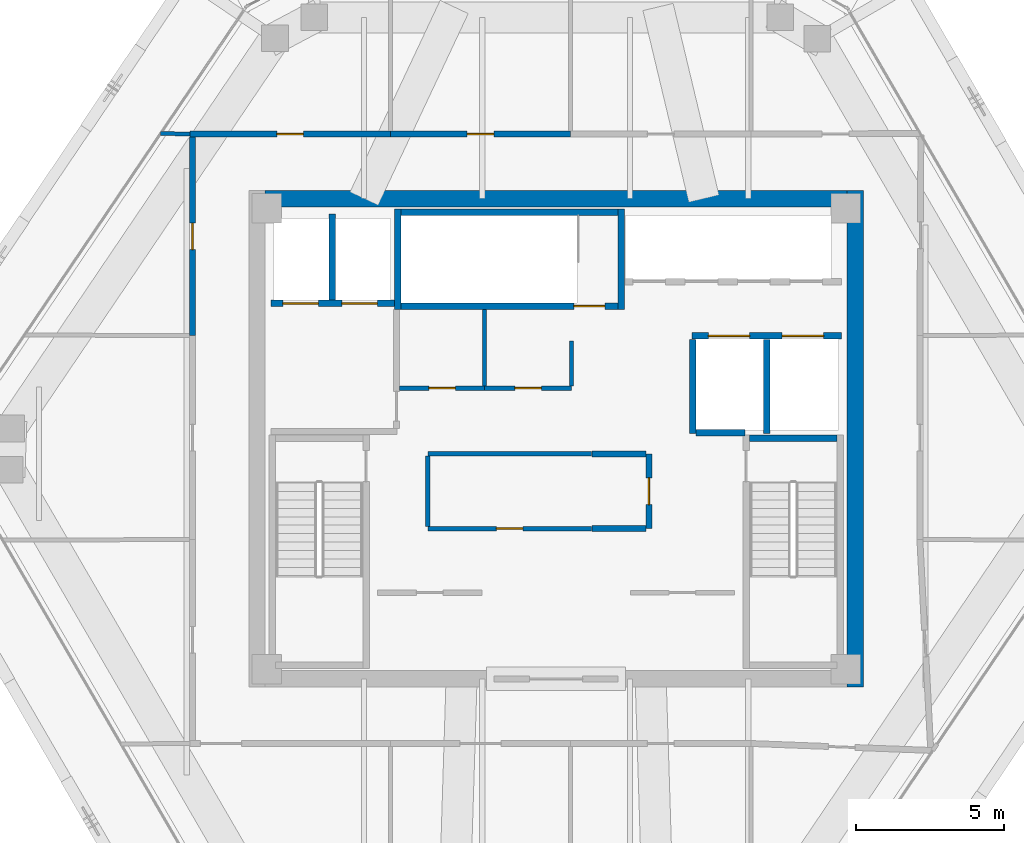
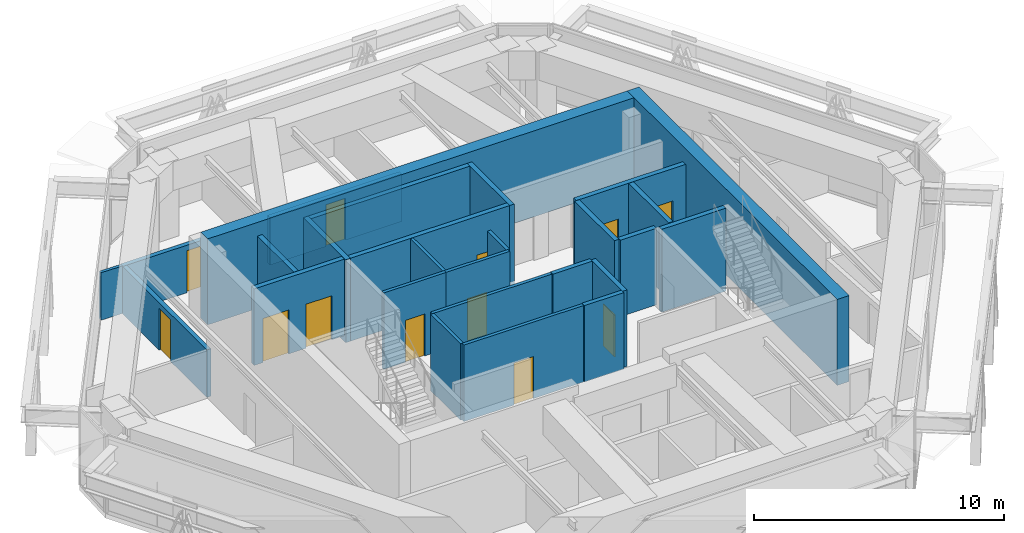
# One storey, part 11 of 13: 27 walls, 12 doors, 12 openings.
"""IFC4 building model written with IfcOpenShell, lengths in metres."""

from ifc_helpers import new_model, si_unit, direction, frame, frame_2d, origin, place, context, subcontext, project, spatial, rectangle, extrude, source, transform, mapped, material, layer, layer_set, type_object, type_shapes, element, fill, save


model = new_model("IFC4")

# Units and contexts
model_context = context("Model", 3, precision=1e-05, world=origin(), true_north=direction((0.0, 1.0)))
body_context = subcontext(model_context, "Body", "Model", "MODEL_VIEW")
ifc_project = project(units=[si_unit("LENGTHUNIT", "METRE"), si_unit("AREAUNIT", "SQUARE_METRE"), si_unit("VOLUMEUNIT", "CUBIC_METRE"), si_unit("PLANEANGLEUNIT", "RADIAN"), si_unit("MASSUNIT", "GRAM", prefix="KILO")], contexts=[model_context])

# Site, building, storey
site_placement = place(None, origin())
site = spatial("IfcSite", under=ifc_project, at=site_placement, CompositionType="ELEMENT")
building_placement = place(site_placement, origin())
building = spatial("IfcBuilding", under=site, at=building_placement, Name="Durnholm Broadcast Tower", CompositionType="ELEMENT")
storey_placement = place(building_placement, frame((0.0, 0.0, 268.300048828125)))
storey = spatial("IfcBuildingStorey", under=building, at=storey_placement, Name="L75", CompositionType="ELEMENT", Elevation=268.300048828125)

# Walls
ifc_material_1 = material(Name="Concrete C70/85", Category="concrete")
ifc_layer_1 = layer(ifc_material_1, 0.550048828125)
ifc_layer_set_1 = layer_set([ifc_layer_1], Name="Concrete C70/85")
wall_type_1 = type_object("IfcWallType", Name="WALL-CW-550", PredefinedType="SHEAR", material=ifc_layer_set_1)
wall_1_placement = place(storey_placement, frame((10.125, -8.39990234375, 0.0), z_axis=(0.0, 0.0, 1.0), x_axis=(0.0, 1.0, 0.0)))
element("IfcWall", 1, at=wall_1_placement, inside=storey, type_object=wall_type_1, Name="L75 central core shear wall CW-EAST", PredefinedType="SHEAR", context=body_context, shape_type="SweptSolid", body=[
    extrude(rectangle(XDim=16.7998046875, YDim=0.550048828125, at=frame_2d((8.39990234375, 0.0))), origin(), (0.0, 0.0, 1.0), 4.199951171875),
])
wall_2_placement = place(storey_placement, frame((-9.85009765625, 8.125, 0.0), z_axis=(0.0, 0.0, 1.0), x_axis=(1.0, 0.0, 0.0)))
element("IfcWall", 2, at=wall_2_placement, inside=storey, type_object=wall_type_1, Name="L75 central core shear wall CW-N", PredefinedType="SHEAR", context=body_context, shape_type="SweptSolid", body=[
    extrude(rectangle(XDim=19.7001953125, YDim=0.550048828125, at=frame_2d((9.85009765625, 0.0))), origin(), (0.0, 0.0, 1.0), 4.199951171875),
])

# Wall, opening, door
ifc_material_2 = material(Name="Fire-Rated Gypsum Shaftwall", Category="concrete")
ifc_layer_2 = layer(ifc_material_2, 0.199951171875)
ifc_layer_set_2 = layer_set([ifc_layer_2], Name="Fire-Rated Gypsum Shaftwall")
wall_type_2 = type_object("IfcWallType", Name="WALL-LOB-200", PredefinedType="SOLIDWALL", material=ifc_layer_set_2)
wall_3_placement = place(storey_placement, frame((3.139892578125, -0.510009765625, 0.0), z_axis=(0.0, 0.0, 1.0), x_axis=(0.0, -1.0, 0.0)))
wall_3 = element("IfcWall", 3, at=wall_3_placement, inside=storey, type_object=wall_type_2, Name="L75 Core IT Telecom Room corridor partition", PredefinedType="SOLIDWALL", context=body_context, shape_type="SweptSolid", body=[
    extrude(rectangle(XDim=2.530029296875, YDim=0.199951171875, at=frame_2d((1.26513671875, 0.0))), origin(), (0.0, 0.0, 1.0), 3.73486328125),
])
opening_1_placement = place(wall_3_placement, frame((0.81494140625, 0.0, 0.0)))
opening_1 = element("IfcOpeningElement", 4, at=opening_1_placement, cuts=wall_3, Name="Opening DC-60R", PredefinedType="OPENING", context=body_context, shape_type="SweptSolid", body=[
    extrude(rectangle(XDim=0.89990234375, YDim=2.050048828125, at=frame_2d((0.449951171875, 1.02490234375))), frame((0.0, 0.10986328125, 0.0), z_axis=(0.0, -1.0, 0.0), x_axis=(1.0, 0.0, 0.0)), (0.0, 0.0, 1.0), 0.219970703125),
])
ifc_material_3 = material(Name="Fire-Rated Core Service Door", Category="steel")
ifc_layer_3 = layer(ifc_material_3, 0.050048828125)
ifc_layer_set_3 = layer_set([ifc_layer_3], Name="Fire-Rated Core Service Door")
door_type_1 = type_object("IfcDoorType", Name="DOOR-CORE-FD60-R", OperationType="NOTDEFINED", PredefinedType="DOOR", material=ifc_layer_set_3)
shared_shape_1 = source(origin(), body_context, "Body", "SweptSolid", [
    extrude(rectangle(XDim=0.89990234375, YDim=2.050048828125, at=frame_2d((0.449951171875, 1.02490234375))), frame((0.0, 0.02490234375, 0.0), z_axis=(0.0, -1.0, 0.0), x_axis=(1.0, 0.0, 0.0)), (0.0, 0.0, 1.0), 0.050048828125),
])
type_shapes(door_type_1, [shared_shape_1])
door_1_placement = place(opening_1_placement, origin())
door_1 = element("IfcDoor", 5, at=door_1_placement, inside=storey, type_object=door_type_1, Name="L75 Core IT Telecom Room entrance door", OperationType="SINGLE_SWING_RIGHT", OverallHeight=2.050048828125, OverallWidth=0.89990234375, PredefinedType="DOOR", context=body_context, shape_type="MappedRepresentation", body=[
    mapped(shared_shape_1, transform((0.0, 0.0, 0.0), x_axis=(1.0, 0.0, 0.0), y_axis=(0.0, 1.0, 0.0), z_axis=(0.0, 0.0, 1.0), scale=1.0)),
])
fill(opening_1, door_1)

# Walls
for number, where, z_axis, x_axis, name in (
    (6, (3.035888671875, -3.0400390625, 0.0), (0.0, 0.0, 1.0), (-1.0, 0.0, 0.0), "L75 Core IT Telecom Room corridor partition"),
    (7, (1.2099609375, -0.510009765625, 0.0), (0.0, 0.0, 1.0), (1.0, 0.0, 0.0), "L75 Core IT Telecom Room corridor partition"),
):
    element("IfcWall", number, at=place(storey_placement, frame(where, z_axis=z_axis, x_axis=x_axis)), inside=storey, type_object=wall_type_2, Name=name, PredefinedType="SOLIDWALL", context=body_context, shape_type="SweptSolid", body=[
        extrude(rectangle(XDim=1.825927734375, YDim=0.199951171875, at=frame_2d((0.9130859375, 0.0))), origin(), (0.0, 0.0, 1.0), 3.73486328125),
    ])

# Wall, opening, door
wall_4_placement = place(storey_placement, frame((-5.610107421875, 10.31005859375, 0.0), z_axis=(0.0, 0.0, 1.0), x_axis=(-1.0, 0.0, 0.0)))
wall_4 = element("IfcWall", 8, at=wall_4_placement, inside=storey, type_object=wall_type_2, Name="L75 Mechanical Plant Room - Chilled Water Heat Exchanger corridor partition", PredefinedType="SOLIDWALL", context=body_context, shape_type="SweptSolid", body=[
    extrude(rectangle(XDim=6.77978515625, YDim=0.199951171875, at=frame_2d((3.389892578125, 0.0))), origin(), (0.0, 0.0, 1.0), 2.320068359375),
])
opening_2_placement = place(wall_4_placement, frame((2.93994140625, 0.0, 0.0)))
opening_2 = element("IfcOpeningElement", 9, at=opening_2_placement, cuts=wall_4, Name="Opening DC-60L", PredefinedType="OPENING", context=body_context, shape_type="SweptSolid", body=[
    extrude(rectangle(XDim=0.89990234375, YDim=2.050048828125, at=frame_2d((0.449951171875, 1.02490234375))), frame((0.0, 0.10986328125, 0.0), z_axis=(0.0, -1.0, 0.0), x_axis=(1.0, 0.0, 0.0)), (0.0, 0.0, 1.0), 0.219970703125),
])
ifc_layer_4 = layer(ifc_material_3, 0.050048828125)
ifc_layer_set_4 = layer_set([ifc_layer_4], Name="Fire-Rated Core Service Door")
door_type_2 = type_object("IfcDoorType", Name="DOOR-CORE-FD60-L", OperationType="NOTDEFINED", PredefinedType="DOOR", material=ifc_layer_set_4)
shared_shape_2 = source(origin(), body_context, "Body", "SweptSolid", [
    extrude(rectangle(XDim=0.89990234375, YDim=2.050048828125, at=frame_2d((0.449951171875, 1.02490234375))), frame((0.0, 0.02490234375, 0.0), z_axis=(0.0, -1.0, 0.0), x_axis=(1.0, 0.0, 0.0)), (0.0, 0.0, 1.0), 0.050048828125),
])
type_shapes(door_type_2, [shared_shape_2])
door_2_placement = place(opening_2_placement, origin())
door_2 = element("IfcDoor", 10, at=door_2_placement, inside=storey, type_object=door_type_2, Name="L75 Mechanical Plant Room - Chilled Water Heat Exchanger entrance door", OperationType="SINGLE_SWING_LEFT", OverallHeight=2.050048828125, OverallWidth=0.89990234375, PredefinedType="DOOR", context=body_context, shape_type="MappedRepresentation", body=[
    mapped(shared_shape_2, transform((0.0, 0.0, 0.0), x_axis=(1.0, 0.0, 0.0), y_axis=(0.0, 1.0, 0.0), z_axis=(0.0, 0.0, 1.0), scale=1.0)),
])
fill(opening_2, door_2)

wall_5_placement = place(storey_placement, frame((0.489990234375, 10.31005859375, 0.0), z_axis=(0.0, 0.0, 1.0), x_axis=(-1.0, 0.0, 0.0)))
wall_5 = element("IfcWall", 11, at=wall_5_placement, inside=storey, type_object=wall_type_2, Name="L75 Mechanical Plant Room - Dedicated Outdoor Air Handling corridor partition", PredefinedType="SOLIDWALL", context=body_context, shape_type="SweptSolid", body=[
    extrude(rectangle(XDim=6.10009765625, YDim=0.199951171875, at=frame_2d((3.050048828125, 0.0))), origin(), (0.0, 0.0, 1.0), 2.320068359375),
])
opening_3_placement = place(wall_5_placement, frame((2.60009765625, 0.0, 0.0)))
opening_3 = element("IfcOpeningElement", 12, at=opening_3_placement, cuts=wall_5, Name="Opening DC-60R", PredefinedType="OPENING", context=body_context, shape_type="SweptSolid", body=[
    extrude(rectangle(XDim=0.89990234375, YDim=2.050048828125, at=frame_2d((0.449951171875, 1.02490234375))), frame((0.0, 0.10986328125, 0.0), z_axis=(0.0, -1.0, 0.0), x_axis=(1.0, 0.0, 0.0)), (0.0, 0.0, 1.0), 0.219970703125),
])
door_3_placement = place(opening_3_placement, origin())
door_3 = element("IfcDoor", 13, at=door_3_placement, inside=storey, type_object=door_type_1, Name="L75 Mechanical Plant Room - Dedicated Outdoor Air Handling entrance door", OperationType="SINGLE_SWING_RIGHT", OverallHeight=2.050048828125, OverallWidth=0.89990234375, PredefinedType="DOOR", context=body_context, shape_type="MappedRepresentation", body=[
    mapped(shared_shape_1, transform((0.0, 0.0, 0.0), x_axis=(1.0, 0.0, 0.0), y_axis=(0.0, 1.0, 0.0), z_axis=(0.0, 0.0, 1.0), scale=1.0)),
])
fill(opening_3, door_3)

wall_6_placement = place(storey_placement, frame((-12.31005859375, 10.2060546875, 0.0), z_axis=(0.0, 0.0, 1.0), x_axis=(0.0, -1.0, 0.0)))
wall_6 = element("IfcWall", 14, at=wall_6_placement, inside=storey, type_object=wall_type_2, Name="L75 Mechanical Plant Room - Telecom Cooling Distribution corridor partition", PredefinedType="SOLIDWALL", context=body_context, shape_type="SweptSolid", body=[
    extrude(rectangle(XDim=6.716064453125, YDim=0.199951171875, at=frame_2d((3.35791015625, 0.0))), origin(), (0.0, 0.0, 1.0), 2.320068359375),
])
opening_4_placement = place(wall_6_placement, frame((2.907958984375, 0.0, 0.0)))
opening_4 = element("IfcOpeningElement", 15, at=opening_4_placement, cuts=wall_6, Name="Opening DC-60R", PredefinedType="OPENING", context=body_context, shape_type="SweptSolid", body=[
    extrude(rectangle(XDim=0.89990234375, YDim=2.050048828125, at=frame_2d((0.449951171875, 1.02490234375))), frame((0.0, 0.10986328125, 0.0), z_axis=(0.0, -1.0, 0.0), x_axis=(1.0, 0.0, 0.0)), (0.0, 0.0, 1.0), 0.219970703125),
])
door_4_placement = place(opening_4_placement, origin())
door_4 = element("IfcDoor", 16, at=door_4_placement, inside=storey, type_object=door_type_1, Name="L75 Mechanical Plant Room - Telecom Cooling Distribution entrance door", OperationType="SINGLE_SWING_RIGHT", OverallHeight=2.050048828125, OverallWidth=0.89990234375, PredefinedType="DOOR", context=body_context, shape_type="MappedRepresentation", body=[
    mapped(shared_shape_1, transform((0.0, 0.0, 0.0), x_axis=(1.0, 0.0, 0.0), y_axis=(0.0, 1.0, 0.0), z_axis=(0.0, 0.0, 1.0), scale=1.0)),
])
fill(opening_4, door_4)

# Walls
ifc_material_4 = material(Name="Gypsum Metal Stud Partition", Category="concrete")
ifc_layer_5 = layer(ifc_material_4, 0.135009765625)
ifc_layer_set_5 = layer_set([ifc_layer_5], Name="Gypsum Metal Stud Partition")
wall_type_3 = type_object("IfcWallType", Name="WALL-PART-135", PredefinedType="PARTITIONING", material=ifc_layer_set_5)
wall_7_placement = place(storey_placement, frame((-2.419921875, 4.375, 0.0), z_axis=(0.0, 0.0, 1.0), x_axis=(0.0, -1.0, 0.0)))
element("IfcWall", 17, at=wall_7_placement, inside=storey, type_object=wall_type_3, Name="L75 room dividing partition 5.6", PredefinedType="PARTITIONING", context=body_context, shape_type="SweptSolid", body=[
    extrude(rectangle(XDim=2.5859375, YDim=0.135009765625, at=frame_2d((1.29296875, 0.0))), origin(), (0.0, 0.0, 1.0), 3.73486328125),
])
wall_8_placement = place(storey_placement, frame((-12.389892578125, 10.311767578125, 0.0), z_axis=(0.0, 0.0, 1.0), x_axis=(-0.999782630862, 0.020849245246, 0.0)))
element("IfcWall", 18, at=wall_8_placement, inside=storey, type_object=wall_type_3, Name="L75 room dividing partition 7.20", PredefinedType="PARTITIONING", context=body_context, shape_type="SweptSolid", body=[
    extrude(rectangle(XDim=0.995361328125, YDim=0.135009765625, at=frame_2d((0.49755859375, 0.0))), origin(), (0.0, 0.0, 1.0), 2.320068359375),
])

# Wall, opening, door
ifc_material_5 = material(Name="Acoustic Gypsum Stud Partition", Category="concrete")
ifc_layer_6 = layer(ifc_material_5, 0.14990234375)
ifc_layer_set_6 = layer_set([ifc_layer_6], Name="Acoustic Gypsum Stud Partition")
wall_type_4 = type_object("IfcWallType", Name="WALL-PART-150", PredefinedType="PARTITIONING", material=ifc_layer_set_6)
wall_9_placement = place(storey_placement, frame((1.18994140625, -3.0400390625, 0.0), z_axis=(0.0, 0.0, 1.0), x_axis=(-1.0, 0.0, 0.0)))
wall_9 = element("IfcWall", 19, at=wall_9_placement, inside=storey, type_object=wall_type_4, Name="L75 Broadcast Equipment Store corridor partition", PredefinedType="PARTITIONING", context=body_context, shape_type="SweptSolid", body=[
    extrude(rectangle(XDim=5.530029296875, YDim=0.14990234375, at=frame_2d((2.76513671875, 0.0))), origin(), (0.0, 0.0, 1.0), 3.73486328125),
])
opening_5_placement = place(wall_9_placement, frame((2.31494140625, 0.0, 0.0)))
opening_5 = element("IfcOpeningElement", 20, at=opening_5_placement, cuts=wall_9, Name="Opening DC-60L", PredefinedType="OPENING", context=body_context, shape_type="SweptSolid", body=[
    extrude(rectangle(XDim=0.89990234375, YDim=2.050048828125, at=frame_2d((0.449951171875, 1.02490234375))), frame((0.0, 0.0849609375, 0.0), z_axis=(0.0, -1.0, 0.0), x_axis=(1.0, 0.0, 0.0)), (0.0, 0.0, 1.0), 0.169921875),
])
door_5_placement = place(opening_5_placement, origin())
door_5 = element("IfcDoor", 21, at=door_5_placement, inside=storey, type_object=door_type_2, Name="L75 Broadcast Equipment Store entrance door", OperationType="SINGLE_SWING_LEFT", OverallHeight=2.050048828125, OverallWidth=0.89990234375, PredefinedType="DOOR", context=body_context, shape_type="MappedRepresentation", body=[
    mapped(shared_shape_2, transform((0.0, 0.0, 0.0), x_axis=(1.0, 0.0, 0.0), y_axis=(0.0, 1.0, 0.0), z_axis=(0.0, 0.0, 1.0), scale=1.0)),
])
fill(opening_5, door_5)

# Walls
wall_10_placement = place(storey_placement, frame((-4.340087890625, -0.510009765625, 0.0), z_axis=(0.0, 0.0, 1.0), x_axis=(1.0, 0.0, 0.0)))
element("IfcWall", 22, at=wall_10_placement, inside=storey, type_object=wall_type_4, Name="L75 Broadcast Equipment Store corridor partition", PredefinedType="PARTITIONING", context=body_context, shape_type="SweptSolid", body=[
    extrude(rectangle(XDim=5.530029296875, YDim=0.14990234375, at=frame_2d((2.76513671875, 0.0))), origin(), (0.0, 0.0, 1.0), 3.73486328125),
])
wall_11_placement = place(storey_placement, frame((-4.340087890625, -2.9609375, 0.0), z_axis=(0.0, 0.0, 1.0), x_axis=(0.0, 1.0, 0.0)))
element("IfcWall", 23, at=wall_11_placement, inside=storey, type_object=wall_type_4, Name="L75 Broadcast Equipment Store corridor partition", PredefinedType="PARTITIONING", context=body_context, shape_type="SweptSolid", body=[
    extrude(rectangle(XDim=2.371826171875, YDim=0.14990234375, at=frame_2d((1.18603515625, 0.0))), origin(), (0.0, 0.0, 1.0), 3.73486328125),
])

# Wall, opening, door
wall_12_placement = place(storey_placement, frame((-2.419921875, 1.7099609375, 0.0), z_axis=(0.0, 0.0, 1.0), x_axis=(-1.0, 0.0, 0.0)))
wall_12 = element("IfcWall", 24, at=wall_12_placement, inside=storey, type_object=wall_type_4, Name="L75 Core Equipment Store corridor partition", PredefinedType="PARTITIONING", context=body_context, shape_type="SweptSolid", body=[
    extrude(rectangle(XDim=2.8759765625, YDim=0.14990234375, at=frame_2d((1.43798828125, 0.0))), origin(), (0.0, 0.0, 1.0), 3.73486328125),
])
opening_6_placement = place(wall_12_placement, frame((0.988037109375, 0.0, 0.0)))
opening_6 = element("IfcOpeningElement", 25, at=opening_6_placement, cuts=wall_12, Name="Opening DC-60L", PredefinedType="OPENING", context=body_context, shape_type="SweptSolid", body=[
    extrude(rectangle(XDim=0.89990234375, YDim=2.050048828125, at=frame_2d((0.449951171875, 1.02490234375))), frame((0.0, 0.0849609375, 0.0), z_axis=(0.0, -1.0, 0.0), x_axis=(1.0, 0.0, 0.0)), (0.0, 0.0, 1.0), 0.169921875),
])
door_6_placement = place(opening_6_placement, origin())
door_6 = element("IfcDoor", 26, at=door_6_placement, inside=storey, type_object=door_type_2, Name="L75 Core Equipment Store entrance door", OperationType="SINGLE_SWING_LEFT", OverallHeight=2.050048828125, OverallWidth=0.89990234375, PredefinedType="DOOR", context=body_context, shape_type="MappedRepresentation", body=[
    mapped(shared_shape_2, transform((0.0, 0.0, 0.0), x_axis=(1.0, 0.0, 0.0), y_axis=(0.0, 1.0, 0.0), z_axis=(0.0, 0.0, 1.0), scale=1.0)),
])
fill(opening_6, door_6)

wall_13_placement = place(storey_placement, frame((0.52001953125, 1.7099609375, 0.0), z_axis=(0.0, 0.0, 1.0), x_axis=(-1.0, 0.0, 0.0)))
wall_13 = element("IfcWall", 27, at=wall_13_placement, inside=storey, type_object=wall_type_4, Name="L75 Core Mail and Supply Room corridor partition", PredefinedType="PARTITIONING", context=body_context, shape_type="SweptSolid", body=[
    extrude(rectangle(XDim=2.93994140625, YDim=0.14990234375, at=frame_2d((1.469970703125, 0.0))), origin(), (0.0, 0.0, 1.0), 3.73486328125),
])
opening_7_placement = place(wall_13_placement, frame((1.02001953125, 0.0, 0.0)))
opening_7 = element("IfcOpeningElement", 28, at=opening_7_placement, cuts=wall_13, Name="Opening DC-60R", PredefinedType="OPENING", context=body_context, shape_type="SweptSolid", body=[
    extrude(rectangle(XDim=0.89990234375, YDim=2.050048828125, at=frame_2d((0.449951171875, 1.02490234375))), frame((0.0, 0.0849609375, 0.0), z_axis=(0.0, -1.0, 0.0), x_axis=(1.0, 0.0, 0.0)), (0.0, 0.0, 1.0), 0.169921875),
])
door_7_placement = place(opening_7_placement, origin())
door_7 = element("IfcDoor", 29, at=door_7_placement, inside=storey, type_object=door_type_1, Name="L75 Core Mail and Supply Room entrance door", OperationType="SINGLE_SWING_RIGHT", OverallHeight=2.050048828125, OverallWidth=0.89990234375, PredefinedType="DOOR", context=body_context, shape_type="MappedRepresentation", body=[
    mapped(shared_shape_1, transform((0.0, 0.0, 0.0), x_axis=(1.0, 0.0, 0.0), y_axis=(0.0, 1.0, 0.0), z_axis=(0.0, 0.0, 1.0), scale=1.0)),
])
fill(opening_7, door_7)

# Wall
wall_14_placement = place(storey_placement, frame((0.52001953125, 3.300048828125, 0.0), z_axis=(0.0, 0.0, 1.0), x_axis=(0.0, -1.0, 0.0)))
element("IfcWall", 30, at=wall_14_placement, inside=storey, type_object=wall_type_4, Name="L75 Core Mail and Supply Room corridor partition", PredefinedType="PARTITIONING", context=body_context, shape_type="SweptSolid", body=[
    extrude(rectangle(XDim=1.510986328125, YDim=0.14990234375, at=frame_2d((0.75537109375, 0.0))), origin(), (0.0, 0.0, 1.0), 3.73486328125),
])

# Wall, openings, doors
ifc_material_6 = material(Name="Concrete Blockwork C30/37", Category="masonry")
ifc_layer_7 = layer(ifc_material_6, 0.219970703125)
ifc_layer_set_7 = layer_set([ifc_layer_7], Name="Concrete Blockwork C30/37")
wall_type_5 = type_object("IfcWallType", Name="WALL-SHAFT-220", PredefinedType="SOLIDWALL", material=ifc_layer_set_7)
wall_15_placement = place(storey_placement, frame((-9.64990234375, 4.580078125, 0.0), z_axis=(0.0, 0.0, 1.0), x_axis=(1.0, 0.0, 0.0)))
wall_15 = element("IfcWall", 31, at=wall_15_placement, inside=storey, type_object=wall_type_5, Name="L75 FSAE hoistway front fire wall", PredefinedType="SOLIDWALL", context=body_context, shape_type="SweptSolid", body=[
    extrude(rectangle(XDim=4.1748046875, YDim=0.219970703125, at=frame_2d((2.08740234375, 0.0))), origin(), (0.0, 0.0, 1.0), 3.73486328125),
])
opening_8_placement = place(wall_15_placement, frame((0.39990234375, 0.0, 0.0)))
opening_8 = element("IfcOpeningElement", 32, at=opening_8_placement, cuts=wall_15, Name="Opening LD-FSAE-2", PredefinedType="OPENING", context=body_context, shape_type="SweptSolid", body=[
    extrude(rectangle(XDim=1.199951171875, YDim=2.14990234375, at=frame_2d((0.60009765625, 1.074951171875))), frame((0.0, 0.1201171875, 0.0), z_axis=(0.0, -1.0, 0.0), x_axis=(1.0, 0.0, 0.0)), (0.0, 0.0, 1.0), 0.239990234375),
])
opening_9_placement = place(wall_15_placement, frame((2.39990234375, 0.0, 0.0)))
opening_9 = element("IfcOpeningElement", 33, at=opening_9_placement, cuts=wall_15, Name="Opening LD-FSAE-1", PredefinedType="OPENING", context=body_context, shape_type="SweptSolid", body=[
    extrude(rectangle(XDim=1.199951171875, YDim=2.14990234375, at=frame_2d((0.60009765625, 1.074951171875))), frame((0.0, 0.1201171875, 0.0), z_axis=(0.0, -1.0, 0.0), x_axis=(1.0, 0.0, 0.0)), (0.0, 0.0, 1.0), 0.239990234375),
])
ifc_material_7 = material(Name="Fire Service Access Sliding Landing Door", Category="steel")
ifc_layer_8 = layer(ifc_material_7, 0.050048828125)
ifc_layer_set_8 = layer_set([ifc_layer_8], Name="Fire Service Access Sliding Landing Door")
door_type_3 = type_object("IfcDoorType", Name="DOOR-LIFT-FSAE", OperationType="DOUBLE_DOOR_SLIDING", PredefinedType="DOOR", material=ifc_layer_set_8)
shared_shape_3 = source(origin(), body_context, "Body", "SweptSolid", [
    extrude(rectangle(XDim=1.199951171875, YDim=2.14990234375, at=frame_2d((0.60009765625, 1.074951171875))), frame((0.0, 0.02490234375, 0.0), z_axis=(0.0, -1.0, 0.0), x_axis=(1.0, 0.0, 0.0)), (0.0, 0.0, 1.0), 0.050048828125),
])
type_shapes(door_type_3, [shared_shape_3])
door_8_placement = place(opening_8_placement, origin())
door_8 = element("IfcDoor", 34, at=door_8_placement, inside=storey, type_object=door_type_3, Name="L75 Fire Service Access Elevator FSAE-2 sliding landing door", OperationType="DOUBLE_DOOR_SLIDING", OverallHeight=2.14990234375, OverallWidth=1.199951171875, PredefinedType="DOOR", context=body_context, shape_type="MappedRepresentation", body=[
    mapped(shared_shape_3, transform((0.0, 0.0, 0.0), x_axis=(1.0, 0.0, 0.0), y_axis=(0.0, 1.0, 0.0), z_axis=(0.0, 0.0, 1.0), scale=1.0)),
])
fill(opening_8, door_8)
door_9_placement = place(opening_9_placement, origin())
door_9 = element("IfcDoor", 35, at=door_9_placement, inside=storey, type_object=door_type_3, Name="L75 Fire Service Access Elevator FSAE-1 sliding landing door", OperationType="DOUBLE_DOOR_SLIDING", OverallHeight=2.14990234375, OverallWidth=1.199951171875, PredefinedType="DOOR", context=body_context, shape_type="MappedRepresentation", body=[
    mapped(shared_shape_3, transform((0.0, 0.0, 0.0), x_axis=(1.0, 0.0, 0.0), y_axis=(0.0, 1.0, 0.0), z_axis=(0.0, 0.0, 1.0), scale=1.0)),
])
fill(opening_9, door_9)

# Wall
wall_16_placement = place(storey_placement, frame((-7.580078125, 4.694091796875, 0.0), z_axis=(0.0, 0.0, 1.0), x_axis=(0.0, 1.0, 0.0)))
element("IfcWall", 36, at=wall_16_placement, inside=storey, type_object=wall_type_5, Name="L75 FSAE shaft divider wall", PredefinedType="SOLIDWALL", context=body_context, shape_type="SweptSolid", body=[
    extrude(rectangle(XDim=2.906005859375, YDim=0.219970703125, at=frame_2d((1.453125, 0.0))), origin(), (0.0, 0.0, 1.0), 3.73486328125),
])

# Wall, openings, doors
wall_17_placement = place(storey_placement, frame((4.60009765625, 3.47998046875, 0.0), z_axis=(0.0, 0.0, 1.0), x_axis=(1.0, 0.0, 0.0)))
wall_17 = element("IfcWall", 37, at=wall_17_placement, inside=storey, type_object=wall_type_5, Name="L75 freight service lifts north front wall", PredefinedType="SOLIDWALL", context=body_context, shape_type="SweptSolid", body=[
    extrude(rectangle(XDim=5.0498046875, YDim=0.219970703125, at=frame_2d((2.52490234375, 0.0))), origin(), (0.0, 0.0, 1.0), 3.73486328125),
])
opening_10_placement = place(wall_17_placement, frame((0.550048828125, 0.0, 0.0)))
opening_10 = element("IfcOpeningElement", 38, at=opening_10_placement, cuts=wall_17, Name="Opening LD-SVL-2", PredefinedType="OPENING", context=body_context, shape_type="SweptSolid", body=[
    extrude(rectangle(XDim=1.39990234375, YDim=2.14990234375, at=frame_2d((0.699951171875, 1.074951171875))), frame((0.0, 0.1201171875, 0.0), z_axis=(0.0, -1.0, 0.0), x_axis=(1.0, 0.0, 0.0)), (0.0, 0.0, 1.0), 0.239990234375),
])
opening_11_placement = place(wall_17_placement, frame((3.050048828125, 0.0, 0.0)))
opening_11 = element("IfcOpeningElement", 39, at=opening_11_placement, cuts=wall_17, Name="Opening LD-SVL-1", PredefinedType="OPENING", context=body_context, shape_type="SweptSolid", body=[
    extrude(rectangle(XDim=1.39990234375, YDim=2.14990234375, at=frame_2d((0.699951171875, 1.074951171875))), frame((0.0, 0.1201171875, 0.0), z_axis=(0.0, -1.0, 0.0), x_axis=(1.0, 0.0, 0.0)), (0.0, 0.0, 1.0), 0.239990234375),
])
ifc_material_8 = material(Name="Freight Elevator Bi-Parting Sliding Landing Door", Category="steel")
ifc_layer_9 = layer(ifc_material_8, 0.050048828125)
ifc_layer_set_9 = layer_set([ifc_layer_9], Name="Freight Elevator Bi-Parting Sliding Landing Door")
door_type_4 = type_object("IfcDoorType", Name="DOOR-LIFT-SVL", OperationType="DOUBLE_DOOR_SLIDING", PredefinedType="DOOR", material=ifc_layer_set_9)
shared_shape_4 = source(origin(), body_context, "Body", "SweptSolid", [
    extrude(rectangle(XDim=1.39990234375, YDim=2.14990234375, at=frame_2d((0.699951171875, 1.074951171875))), frame((0.0, 0.02490234375, 0.0), z_axis=(0.0, -1.0, 0.0), x_axis=(1.0, 0.0, 0.0)), (0.0, 0.0, 1.0), 0.050048828125),
])
type_shapes(door_type_4, [shared_shape_4])
door_10_placement = place(opening_10_placement, origin())
door_10 = element("IfcDoor", 40, at=door_10_placement, inside=storey, type_object=door_type_4, Name="L75 freight service elevator SVL-2 sliding landing door", OperationType="DOUBLE_DOOR_SLIDING", OverallHeight=2.14990234375, OverallWidth=1.39990234375, PredefinedType="DOOR", context=body_context, shape_type="MappedRepresentation", body=[
    mapped(shared_shape_4, transform((0.0, 0.0, 0.0), x_axis=(1.0, 0.0, 0.0), y_axis=(0.0, 1.0, 0.0), z_axis=(0.0, 0.0, 1.0), scale=1.0)),
])
fill(opening_10, door_10)
door_11_placement = place(opening_11_placement, origin())
door_11 = element("IfcDoor", 41, at=door_11_placement, inside=storey, type_object=door_type_4, Name="L75 freight service elevator SVL-1 sliding landing door", OperationType="DOUBLE_DOOR_SLIDING", OverallHeight=2.14990234375, OverallWidth=1.39990234375, PredefinedType="DOOR", context=body_context, shape_type="MappedRepresentation", body=[
    mapped(shared_shape_4, transform((0.0, 0.0, 0.0), x_axis=(1.0, 0.0, 0.0), y_axis=(0.0, 1.0, 0.0), z_axis=(0.0, 0.0, 1.0), scale=1.0)),
])
fill(opening_11, door_11)

# Walls
for number, where, z_axis, x_axis, name in (
    (42, (4.6201171875, 0.179931640625, 0.0), (0.0, 0.0, 1.0), (0.0, 1.0, 0.0), "L75 freight service lift SVL-2 west wall"),
    (43, (7.1201171875, 0.179931640625, 0.0), (0.0, 0.0, 1.0), (0.0, 1.0, 0.0), "L75 freight service lifts divider wall"),
):
    element("IfcWall", number, at=place(storey_placement, frame(where, z_axis=z_axis, x_axis=x_axis)), inside=storey, type_object=wall_type_5, Name=name, PredefinedType="SOLIDWALL", context=body_context, shape_type="SweptSolid", body=[
        extrude(rectangle(XDim=3.18603515625, YDim=0.219970703125, at=frame_2d((1.593017578125, 0.0))), origin(), (0.0, 0.0, 1.0), 3.73486328125),
    ])
wall_18_placement = place(storey_placement, frame((4.73388671875, 0.199951171875, 0.0), z_axis=(0.0, 0.0, 1.0), x_axis=(1.0, 0.0, 0.0)))
element("IfcWall", 44, at=wall_18_placement, inside=storey, type_object=wall_type_5, Name="L75 freight service lift SVL-2 south wall", PredefinedType="SOLIDWALL", context=body_context, shape_type="SweptSolid", body=[
    extrude(rectangle(XDim=1.666015625, YDim=0.219970703125, at=frame_2d((0.8330078125, 0.0))), origin(), (0.0, 0.0, 1.0), 3.73486328125),
])
ifc_material_9 = material(Name="Concrete C50/60", Category="concrete")
ifc_layer_10 = layer(ifc_material_9, 0.219970703125)
ifc_layer_set_10 = layer_set([ifc_layer_10], Name="Concrete C50/60")
wall_type_6 = type_object("IfcWallType", Name="WALL-SW-220", PredefinedType="SHEAR", material=ifc_layer_set_10)
wall_19_placement = place(storey_placement, frame((9.5, 0.010009765625, -0.300048828125), z_axis=(0.0, 0.0, 1.0), x_axis=(-1.0, 0.0, 0.0)))
element("IfcWall", 45, at=wall_19_placement, inside=storey, type_object=wall_type_6, Name="L75 stair ST-2 structural shaft wall N", PredefinedType="SHEAR", context=body_context, shape_type="SweptSolid", body=[
    extrude(rectangle(XDim=2.9599609375, YDim=0.219970703125, at=frame_2d((1.47998046875, 0.0))), origin(), (0.0, 0.0, 1.0), 4.050048828125),
])
for number, where, z_axis, x_axis, name in (
    (46, (2.2099609375, 4.3798828125, -0.300048828125), (0.0, 0.0, 1.0), (0.0, 1.0, 0.0), "L75 stair ST-3 structural shaft wall E"),
    (47, (-5.360107421875, 7.780029296875, -0.300048828125), (0.0, 0.0, 1.0), (0.0, -1.0, 0.0), "L75 stair ST-3 structural shaft wall W"),
):
    element("IfcWall", number, at=place(storey_placement, frame(where, z_axis=z_axis, x_axis=x_axis)), inside=storey, type_object=wall_type_6, Name=name, PredefinedType="SHEAR", context=body_context, shape_type="SweptSolid", body=[
        extrude(rectangle(XDim=3.400146484375, YDim=0.219970703125, at=frame_2d((1.7001953125, 0.0))), origin(), (0.0, 0.0, 1.0), 4.050048828125),
    ])

# Wall, opening, door
wall_20_placement = place(storey_placement, frame((-5.25, 4.489990234375, -0.300048828125), z_axis=(0.0, 0.0, 1.0), x_axis=(1.0, 0.0, 0.0)))
wall_20 = element("IfcWall", 48, at=wall_20_placement, inside=storey, type_object=wall_type_6, Name="L75 stair ST-3 structural shaft wall S", PredefinedType="SHEAR", context=body_context, shape_type="SweptSolid", body=[
    extrude(rectangle(XDim=7.35009765625, YDim=0.219970703125, at=frame_2d((3.675048828125, 0.0))), origin(), (0.0, 0.0, 1.0), 4.050048828125),
])
opening_12_placement = place(wall_20_placement, frame((5.85009765625, 0.0, 0.0)))
opening_12 = element("IfcOpeningElement", 49, at=opening_12_placement, cuts=wall_20, Name="Opening DS-90L", PredefinedType="OPENING", context=body_context, shape_type="SweptSolid", body=[
    extrude(rectangle(XDim=1.050048828125, YDim=2.14990234375, at=frame_2d((0.52490234375, 1.074951171875))), frame((0.0, 0.1201171875, 0.0), z_axis=(0.0, -1.0, 0.0), x_axis=(1.0, 0.0, 0.0)), (0.0, 0.0, 1.0), 0.239990234375),
])
ifc_material_10 = material(Name="Fire-Rated Steel Door", Category="steel")
ifc_layer_11 = layer(ifc_material_10, 0.050048828125)
ifc_layer_set_11 = layer_set([ifc_layer_11], Name="Fire-Rated Steel Door")
door_type_5 = type_object("IfcDoorType", Name="DOOR-ST-FD90-L", OperationType="NOTDEFINED", PredefinedType="DOOR", material=ifc_layer_set_11)
shared_shape_5 = source(origin(), body_context, "Body", "SweptSolid", [
    extrude(rectangle(XDim=1.050048828125, YDim=2.14990234375, at=frame_2d((0.52490234375, 1.074951171875))), frame((0.0, 0.02490234375, 0.0), z_axis=(0.0, -1.0, 0.0), x_axis=(1.0, 0.0, 0.0)), (0.0, 0.0, 1.0), 0.050048828125),
])
type_shapes(door_type_5, [shared_shape_5])
door_12_placement = place(opening_12_placement, origin())
door_12 = element("IfcDoor", 50, at=door_12_placement, inside=storey, type_object=door_type_5, Name="L75 exit stair ST-3 fire door", OperationType="SINGLE_SWING_LEFT", OverallHeight=2.14990234375, OverallWidth=1.050048828125, PredefinedType="DOOR", context=body_context, shape_type="MappedRepresentation", body=[
    mapped(shared_shape_5, transform((0.0, 0.0, 0.0), x_axis=(1.0, 0.0, 0.0), y_axis=(0.0, 1.0, 0.0), z_axis=(0.0, 0.0, 1.0), scale=1.0)),
])
fill(opening_12, door_12)

# Wall
wall_21_placement = place(storey_placement, frame((2.10009765625, 7.669921875, -0.300048828125), z_axis=(0.0, 0.0, 1.0), x_axis=(-1.0, 0.0, 0.0)))
element("IfcWall", 51, at=wall_21_placement, inside=storey, type_object=wall_type_6, Name="L75 stair ST-3 structural shaft wall N", PredefinedType="SHEAR", context=body_context, shape_type="SweptSolid", body=[
    extrude(rectangle(XDim=7.35009765625, YDim=0.219970703125, at=frame_2d((3.675048828125, 0.0))), origin(), (0.0, 0.0, 1.0), 4.050048828125),
])

save(model, "model.ifc")
